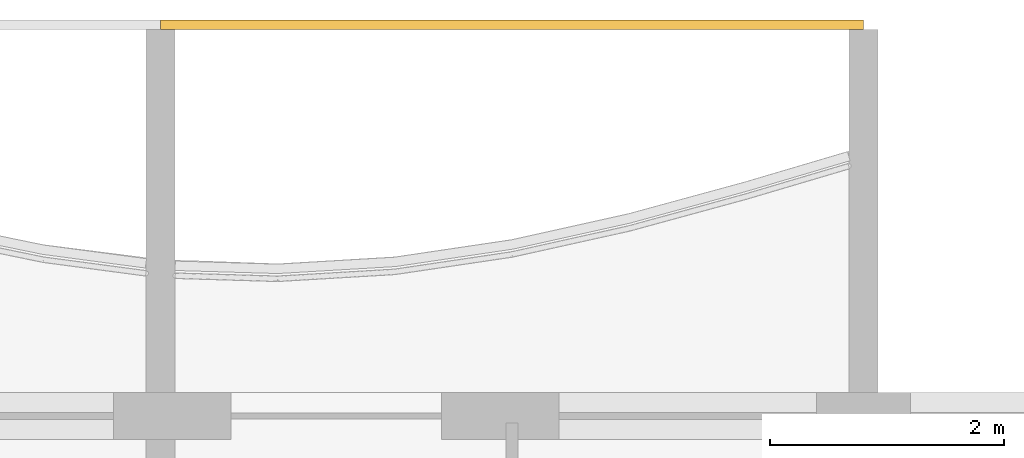
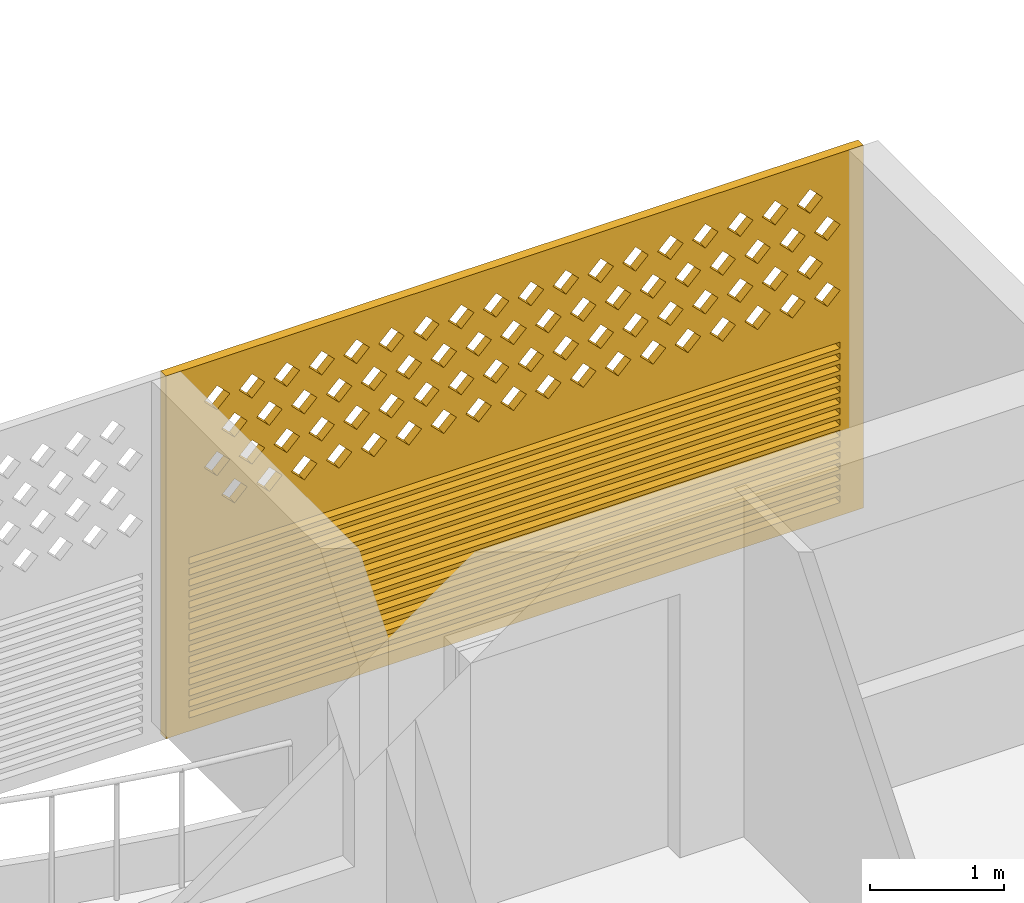
# One storey, part 19 of 27: 1 covering.
"""IFC4 building model written with IfcOpenShell, lengths in metres."""

from ifc_helpers import new_model, si_unit, direction, frame, origin, place, context, subcontext, project, spatial, polyline, outline, extrude, source, transform, mapped, material, material_profile, profile_set, type_object, element, save


model = new_model("IFC4")

# Units and contexts
model_context = context("Model", 3, precision=1e-05, world=origin(), true_north=direction((0.0, 1.0)))
body_context = subcontext(model_context, "Body", "Model", "MODEL_VIEW")
ifc_project = project(units=[si_unit("LENGTHUNIT", "METRE"), si_unit("AREAUNIT", "SQUARE_METRE"), si_unit("VOLUMEUNIT", "CUBIC_METRE"), si_unit("PLANEANGLEUNIT", "RADIAN"), si_unit("MASSUNIT", "GRAM", prefix="KILO")], contexts=[model_context])

# Site, building, storey
site_placement = place(None, origin())
site = spatial("IfcSite", under=ifc_project, at=site_placement, CompositionType="ELEMENT")
building_placement = place(site_placement, origin())
building = spatial("IfcBuilding", under=site, at=building_placement, Name="Poui Terraces", CompositionType="ELEMENT")
storey_placement = place(building_placement, frame((0.0, 0.0, 191.699951171875)))
storey = spatial("IfcBuildingStorey", under=building, at=storey_placement, Name="L53", CompositionType="ELEMENT", Elevation=191.699951171875)

# Covering
ifc_material = material(Name="Terracotta screen", Category="masonry")
ifc_material_profile = material_profile(ifc_material, outline(polyline([(-3.0, -1.64990234375), (3.0, -1.64990234375), (3.0, 1.64990234375), (-3.0, 1.64990234375), (-3.0, -1.64990234375)]), holes=[polyline([(-2.800048828125, 0.39990234375), (-2.68994140625, 0.2900390625), (-2.580078125, 0.39990234375), (-2.68994140625, 0.510009765625), (-2.800048828125, 0.39990234375)]), polyline([(-2.5, 0.39990234375), (-2.389892578125, 0.2900390625), (-2.280029296875, 0.39990234375), (-2.389892578125, 0.510009765625), (-2.5, 0.39990234375)]), polyline([(-2.199951171875, 0.39990234375), (-2.090087890625, 0.2900390625), (-1.97998046875, 0.39990234375), (-2.090087890625, 0.510009765625), (-2.199951171875, 0.39990234375)]), polyline([(-1.89990234375, 0.39990234375), (-1.7900390625, 0.2900390625), (-1.679931640625, 0.39990234375), (-1.7900390625, 0.510009765625), (-1.89990234375, 0.39990234375)]), polyline([(-1.60009765625, 0.39990234375), (-1.489990234375, 0.2900390625), (-1.3798828125, 0.39990234375), (-1.489990234375, 0.510009765625), (-1.60009765625, 0.39990234375)]), polyline([(-1.300048828125, 0.39990234375), (-1.18994140625, 0.2900390625), (-1.080078125, 0.39990234375), (-1.18994140625, 0.510009765625), (-1.300048828125, 0.39990234375)]), polyline([(-1.0, 0.39990234375), (-0.889892578125, 0.2900390625), (-0.780029296875, 0.39990234375), (-0.889892578125, 0.510009765625), (-1.0, 0.39990234375)]), polyline([(-0.699951171875, 0.39990234375), (-0.590087890625, 0.2900390625), (-0.47998046875, 0.39990234375), (-0.590087890625, 0.510009765625), (-0.699951171875, 0.39990234375)]), polyline([(-0.39990234375, 0.39990234375), (-0.2900390625, 0.2900390625), (-0.179931640625, 0.39990234375), (-0.2900390625, 0.510009765625), (-0.39990234375, 0.39990234375)]), polyline([(-0.10009765625, 0.39990234375), (0.010009765625, 0.2900390625), (0.1201171875, 0.39990234375), (0.010009765625, 0.510009765625), (-0.10009765625, 0.39990234375)]), polyline([(0.199951171875, 0.39990234375), (0.31005859375, 0.2900390625), (0.419921875, 0.39990234375), (0.31005859375, 0.510009765625), (0.199951171875, 0.39990234375)]), polyline([(0.5, 0.39990234375), (0.610107421875, 0.2900390625), (0.719970703125, 0.39990234375), (0.610107421875, 0.510009765625), (0.5, 0.39990234375)]), polyline([(0.800048828125, 0.39990234375), (0.909912109375, 0.2900390625), (1.02001953125, 0.39990234375), (0.909912109375, 0.510009765625), (0.800048828125, 0.39990234375)]), polyline([(1.10009765625, 0.39990234375), (1.2099609375, 0.2900390625), (1.320068359375, 0.39990234375), (1.2099609375, 0.510009765625), (1.10009765625, 0.39990234375)]), polyline([(1.39990234375, 0.39990234375), (1.510009765625, 0.2900390625), (1.6201171875, 0.39990234375), (1.510009765625, 0.510009765625), (1.39990234375, 0.39990234375)]), polyline([(1.699951171875, 0.39990234375), (1.81005859375, 0.2900390625), (1.919921875, 0.39990234375), (1.81005859375, 0.510009765625), (1.699951171875, 0.39990234375)]), polyline([(2.0, 0.39990234375), (2.110107421875, 0.2900390625), (2.219970703125, 0.39990234375), (2.110107421875, 0.510009765625), (2.0, 0.39990234375)]), polyline([(2.300048828125, 0.39990234375), (2.409912109375, 0.2900390625), (2.52001953125, 0.39990234375), (2.409912109375, 0.510009765625), (2.300048828125, 0.39990234375)]), polyline([(-2.64990234375, 0.699951171875), (-2.5400390625, 0.590087890625), (-2.429931640625, 0.699951171875), (-2.5400390625, 0.81005859375), (-2.64990234375, 0.699951171875)]), polyline([(-2.35009765625, 0.699951171875), (-2.239990234375, 0.590087890625), (-2.1298828125, 0.699951171875), (-2.239990234375, 0.81005859375), (-2.35009765625, 0.699951171875)]), polyline([(-2.050048828125, 0.699951171875), (-1.93994140625, 0.590087890625), (-1.830078125, 0.699951171875), (-1.93994140625, 0.81005859375), (-2.050048828125, 0.699951171875)]), polyline([(-1.75, 0.699951171875), (-1.639892578125, 0.590087890625), (-1.530029296875, 0.699951171875), (-1.639892578125, 0.81005859375), (-1.75, 0.699951171875)]), polyline([(-1.449951171875, 0.699951171875), (-1.340087890625, 0.590087890625), (-1.22998046875, 0.699951171875), (-1.340087890625, 0.81005859375), (-1.449951171875, 0.699951171875)]), polyline([(-1.14990234375, 0.699951171875), (-1.0400390625, 0.590087890625), (-0.929931640625, 0.699951171875), (-1.0400390625, 0.81005859375), (-1.14990234375, 0.699951171875)]), polyline([(-0.85009765625, 0.699951171875), (-0.739990234375, 0.590087890625), (-0.6298828125, 0.699951171875), (-0.739990234375, 0.81005859375), (-0.85009765625, 0.699951171875)]), polyline([(-0.550048828125, 0.699951171875), (-0.43994140625, 0.590087890625), (-0.330078125, 0.699951171875), (-0.43994140625, 0.81005859375), (-0.550048828125, 0.699951171875)]), polyline([(-0.25, 0.699951171875), (-0.139892578125, 0.590087890625), (-0.030029296875, 0.699951171875), (-0.139892578125, 0.81005859375), (-0.25, 0.699951171875)]), polyline([(0.050048828125, 0.699951171875), (0.159912109375, 0.590087890625), (0.27001953125, 0.699951171875), (0.159912109375, 0.81005859375), (0.050048828125, 0.699951171875)]), polyline([(0.35009765625, 0.699951171875), (0.4599609375, 0.590087890625), (0.570068359375, 0.699951171875), (0.4599609375, 0.81005859375), (0.35009765625, 0.699951171875)]), polyline([(0.64990234375, 0.699951171875), (0.760009765625, 0.590087890625), (0.8701171875, 0.699951171875), (0.760009765625, 0.81005859375), (0.64990234375, 0.699951171875)]), polyline([(0.949951171875, 0.699951171875), (1.06005859375, 0.590087890625), (1.169921875, 0.699951171875), (1.06005859375, 0.81005859375), (0.949951171875, 0.699951171875)]), polyline([(1.25, 0.699951171875), (1.360107421875, 0.590087890625), (1.469970703125, 0.699951171875), (1.360107421875, 0.81005859375), (1.25, 0.699951171875)]), polyline([(1.550048828125, 0.699951171875), (1.659912109375, 0.590087890625), (1.77001953125, 0.699951171875), (1.659912109375, 0.81005859375), (1.550048828125, 0.699951171875)]), polyline([(1.85009765625, 0.699951171875), (1.9599609375, 0.590087890625), (2.070068359375, 0.699951171875), (1.9599609375, 0.81005859375), (1.85009765625, 0.699951171875)]), polyline([(2.14990234375, 0.699951171875), (2.260009765625, 0.590087890625), (2.3701171875, 0.699951171875), (2.260009765625, 0.81005859375), (2.14990234375, 0.699951171875)]), polyline([(2.449951171875, 0.699951171875), (2.56005859375, 0.590087890625), (2.669921875, 0.699951171875), (2.56005859375, 0.81005859375), (2.449951171875, 0.699951171875)]), polyline([(-2.800048828125, 1.0), (-2.68994140625, 0.889892578125), (-2.580078125, 1.0), (-2.68994140625, 1.110107421875), (-2.800048828125, 1.0)]), polyline([(-2.5, 1.0), (-2.389892578125, 0.889892578125), (-2.280029296875, 1.0), (-2.389892578125, 1.110107421875), (-2.5, 1.0)]), polyline([(-2.199951171875, 1.0), (-2.090087890625, 0.889892578125), (-1.97998046875, 1.0), (-2.090087890625, 1.110107421875), (-2.199951171875, 1.0)]), polyline([(-1.89990234375, 1.0), (-1.7900390625, 0.889892578125), (-1.679931640625, 1.0), (-1.7900390625, 1.110107421875), (-1.89990234375, 1.0)]), polyline([(-1.60009765625, 1.0), (-1.489990234375, 0.889892578125), (-1.3798828125, 1.0), (-1.489990234375, 1.110107421875), (-1.60009765625, 1.0)]), polyline([(-1.300048828125, 1.0), (-1.18994140625, 0.889892578125), (-1.080078125, 1.0), (-1.18994140625, 1.110107421875), (-1.300048828125, 1.0)]), polyline([(-1.0, 1.0), (-0.889892578125, 0.889892578125), (-0.780029296875, 1.0), (-0.889892578125, 1.110107421875), (-1.0, 1.0)]), polyline([(-0.699951171875, 1.0), (-0.590087890625, 0.889892578125), (-0.47998046875, 1.0), (-0.590087890625, 1.110107421875), (-0.699951171875, 1.0)]), polyline([(-0.39990234375, 1.0), (-0.2900390625, 0.889892578125), (-0.179931640625, 1.0), (-0.2900390625, 1.110107421875), (-0.39990234375, 1.0)]), polyline([(-0.10009765625, 1.0), (0.010009765625, 0.889892578125), (0.1201171875, 1.0), (0.010009765625, 1.110107421875), (-0.10009765625, 1.0)]), polyline([(0.199951171875, 1.0), (0.31005859375, 0.889892578125), (0.419921875, 1.0), (0.31005859375, 1.110107421875), (0.199951171875, 1.0)]), polyline([(0.5, 1.0), (0.610107421875, 0.889892578125), (0.719970703125, 1.0), (0.610107421875, 1.110107421875), (0.5, 1.0)]), polyline([(0.800048828125, 1.0), (0.909912109375, 0.889892578125), (1.02001953125, 1.0), (0.909912109375, 1.110107421875), (0.800048828125, 1.0)]), polyline([(1.10009765625, 1.0), (1.2099609375, 0.889892578125), (1.320068359375, 1.0), (1.2099609375, 1.110107421875), (1.10009765625, 1.0)]), polyline([(1.39990234375, 1.0), (1.510009765625, 0.889892578125), (1.6201171875, 1.0), (1.510009765625, 1.110107421875), (1.39990234375, 1.0)]), polyline([(1.699951171875, 1.0), (1.81005859375, 0.889892578125), (1.919921875, 1.0), (1.81005859375, 1.110107421875), (1.699951171875, 1.0)]), polyline([(2.0, 1.0), (2.110107421875, 0.889892578125), (2.219970703125, 1.0), (2.110107421875, 1.110107421875), (2.0, 1.0)]), polyline([(2.300048828125, 1.0), (2.409912109375, 0.889892578125), (2.52001953125, 1.0), (2.409912109375, 1.110107421875), (2.300048828125, 1.0)]), polyline([(-2.64990234375, 1.300048828125), (-2.5400390625, 1.18994140625), (-2.429931640625, 1.300048828125), (-2.5400390625, 1.409912109375), (-2.64990234375, 1.300048828125)]), polyline([(-2.35009765625, 1.300048828125), (-2.239990234375, 1.18994140625), (-2.1298828125, 1.300048828125), (-2.239990234375, 1.409912109375), (-2.35009765625, 1.300048828125)]), polyline([(-2.050048828125, 1.300048828125), (-1.93994140625, 1.18994140625), (-1.830078125, 1.300048828125), (-1.93994140625, 1.409912109375), (-2.050048828125, 1.300048828125)]), polyline([(-1.75, 1.300048828125), (-1.639892578125, 1.18994140625), (-1.530029296875, 1.300048828125), (-1.639892578125, 1.409912109375), (-1.75, 1.300048828125)]), polyline([(-1.449951171875, 1.300048828125), (-1.340087890625, 1.18994140625), (-1.22998046875, 1.300048828125), (-1.340087890625, 1.409912109375), (-1.449951171875, 1.300048828125)]), polyline([(-1.14990234375, 1.300048828125), (-1.0400390625, 1.18994140625), (-0.929931640625, 1.300048828125), (-1.0400390625, 1.409912109375), (-1.14990234375, 1.300048828125)]), polyline([(-0.85009765625, 1.300048828125), (-0.739990234375, 1.18994140625), (-0.6298828125, 1.300048828125), (-0.739990234375, 1.409912109375), (-0.85009765625, 1.300048828125)]), polyline([(-0.550048828125, 1.300048828125), (-0.43994140625, 1.18994140625), (-0.330078125, 1.300048828125), (-0.43994140625, 1.409912109375), (-0.550048828125, 1.300048828125)]), polyline([(-0.25, 1.300048828125), (-0.139892578125, 1.18994140625), (-0.030029296875, 1.300048828125), (-0.139892578125, 1.409912109375), (-0.25, 1.300048828125)]), polyline([(0.050048828125, 1.300048828125), (0.159912109375, 1.18994140625), (0.27001953125, 1.300048828125), (0.159912109375, 1.409912109375), (0.050048828125, 1.300048828125)]), polyline([(0.35009765625, 1.300048828125), (0.4599609375, 1.18994140625), (0.570068359375, 1.300048828125), (0.4599609375, 1.409912109375), (0.35009765625, 1.300048828125)]), polyline([(0.64990234375, 1.300048828125), (0.760009765625, 1.18994140625), (0.8701171875, 1.300048828125), (0.760009765625, 1.409912109375), (0.64990234375, 1.300048828125)]), polyline([(0.949951171875, 1.300048828125), (1.06005859375, 1.18994140625), (1.169921875, 1.300048828125), (1.06005859375, 1.409912109375), (0.949951171875, 1.300048828125)]), polyline([(1.25, 1.300048828125), (1.360107421875, 1.18994140625), (1.469970703125, 1.300048828125), (1.360107421875, 1.409912109375), (1.25, 1.300048828125)]), polyline([(1.550048828125, 1.300048828125), (1.659912109375, 1.18994140625), (1.77001953125, 1.300048828125), (1.659912109375, 1.409912109375), (1.550048828125, 1.300048828125)]), polyline([(1.85009765625, 1.300048828125), (1.9599609375, 1.18994140625), (2.070068359375, 1.300048828125), (1.9599609375, 1.409912109375), (1.85009765625, 1.300048828125)]), polyline([(2.14990234375, 1.300048828125), (2.260009765625, 1.18994140625), (2.3701171875, 1.300048828125), (2.260009765625, 1.409912109375), (2.14990234375, 1.300048828125)]), polyline([(2.449951171875, 1.300048828125), (2.56005859375, 1.18994140625), (2.669921875, 1.300048828125), (2.56005859375, 1.409912109375), (2.449951171875, 1.300048828125)]), polyline([(-2.800048828125, -1.530029296875), (2.800048828125, -1.530029296875), (2.800048828125, -1.469970703125), (-2.800048828125, -1.469970703125), (-2.800048828125, -1.530029296875)]), polyline([(-2.800048828125, -1.429931640625), (2.800048828125, -1.429931640625), (2.800048828125, -1.3701171875), (-2.800048828125, -1.3701171875), (-2.800048828125, -1.429931640625)]), polyline([(-2.800048828125, -1.330078125), (2.800048828125, -1.330078125), (2.800048828125, -1.27001953125), (-2.800048828125, -1.27001953125), (-2.800048828125, -1.330078125)]), polyline([(-2.800048828125, -1.22998046875), (2.800048828125, -1.22998046875), (2.800048828125, -1.169921875), (-2.800048828125, -1.169921875), (-2.800048828125, -1.22998046875)]), polyline([(-2.800048828125, -1.1298828125), (2.800048828125, -1.1298828125), (2.800048828125, -1.070068359375), (-2.800048828125, -1.070068359375), (-2.800048828125, -1.1298828125)]), polyline([(-2.800048828125, -1.030029296875), (2.800048828125, -1.030029296875), (2.800048828125, -0.969970703125), (-2.800048828125, -0.969970703125), (-2.800048828125, -1.030029296875)]), polyline([(-2.800048828125, -0.929931640625), (2.800048828125, -0.929931640625), (2.800048828125, -0.8701171875), (-2.800048828125, -0.8701171875), (-2.800048828125, -0.929931640625)]), polyline([(-2.800048828125, -0.830078125), (2.800048828125, -0.830078125), (2.800048828125, -0.77001953125), (-2.800048828125, -0.77001953125), (-2.800048828125, -0.830078125)]), polyline([(-2.800048828125, -0.72998046875), (2.800048828125, -0.72998046875), (2.800048828125, -0.669921875), (-2.800048828125, -0.669921875), (-2.800048828125, -0.72998046875)]), polyline([(-2.800048828125, -0.6298828125), (2.800048828125, -0.6298828125), (2.800048828125, -0.570068359375), (-2.800048828125, -0.570068359375), (-2.800048828125, -0.6298828125)]), polyline([(-2.800048828125, -0.530029296875), (2.800048828125, -0.530029296875), (2.800048828125, -0.469970703125), (-2.800048828125, -0.469970703125), (-2.800048828125, -0.530029296875)]), polyline([(-2.800048828125, -0.429931640625), (2.800048828125, -0.429931640625), (2.800048828125, -0.3701171875), (-2.800048828125, -0.3701171875), (-2.800048828125, -0.429931640625)]), polyline([(-2.800048828125, -0.330078125), (2.800048828125, -0.330078125), (2.800048828125, -0.27001953125), (-2.800048828125, -0.27001953125), (-2.800048828125, -0.330078125)]), polyline([(-2.800048828125, -0.22998046875), (2.800048828125, -0.22998046875), (2.800048828125, -0.169921875), (-2.800048828125, -0.169921875), (-2.800048828125, -0.22998046875)]), polyline([(-2.800048828125, -0.1298828125), (2.800048828125, -0.1298828125), (2.800048828125, -0.070068359375), (-2.800048828125, -0.070068359375), (-2.800048828125, -0.1298828125)])]), Name="TERRACOTTA SCREEN AND JALOUSIE LOUVRE 6000X3300")
ifc_profile_set = profile_set([ifc_material_profile], Name="Terracotta screen")
covering_type = type_object("IfcCoveringType", Name="TERRACOTTA SCREEN AND JALOUSIE LOUVRE 6000X3300", PredefinedType="CLADDING", material=ifc_profile_set)
shared_shape = source(origin(), body_context, "Body", "SweptSolid", [
    extrude(outline(polyline([(-3.0, -1.64990234375), (3.0, -1.64990234375), (3.0, 1.64990234375), (-3.0, 1.64990234375), (-3.0, -1.64990234375)]), holes=[polyline([(-2.800048828125, 0.39990234375), (-2.68994140625, 0.2900390625), (-2.580078125, 0.39990234375), (-2.68994140625, 0.510009765625), (-2.800048828125, 0.39990234375)]), polyline([(-2.5, 0.39990234375), (-2.389892578125, 0.2900390625), (-2.280029296875, 0.39990234375), (-2.389892578125, 0.510009765625), (-2.5, 0.39990234375)]), polyline([(-2.199951171875, 0.39990234375), (-2.090087890625, 0.2900390625), (-1.97998046875, 0.39990234375), (-2.090087890625, 0.510009765625), (-2.199951171875, 0.39990234375)]), polyline([(-1.89990234375, 0.39990234375), (-1.7900390625, 0.2900390625), (-1.679931640625, 0.39990234375), (-1.7900390625, 0.510009765625), (-1.89990234375, 0.39990234375)]), polyline([(-1.60009765625, 0.39990234375), (-1.489990234375, 0.2900390625), (-1.3798828125, 0.39990234375), (-1.489990234375, 0.510009765625), (-1.60009765625, 0.39990234375)]), polyline([(-1.300048828125, 0.39990234375), (-1.18994140625, 0.2900390625), (-1.080078125, 0.39990234375), (-1.18994140625, 0.510009765625), (-1.300048828125, 0.39990234375)]), polyline([(-1.0, 0.39990234375), (-0.889892578125, 0.2900390625), (-0.780029296875, 0.39990234375), (-0.889892578125, 0.510009765625), (-1.0, 0.39990234375)]), polyline([(-0.699951171875, 0.39990234375), (-0.590087890625, 0.2900390625), (-0.47998046875, 0.39990234375), (-0.590087890625, 0.510009765625), (-0.699951171875, 0.39990234375)]), polyline([(-0.39990234375, 0.39990234375), (-0.2900390625, 0.2900390625), (-0.179931640625, 0.39990234375), (-0.2900390625, 0.510009765625), (-0.39990234375, 0.39990234375)]), polyline([(-0.10009765625, 0.39990234375), (0.010009765625, 0.2900390625), (0.1201171875, 0.39990234375), (0.010009765625, 0.510009765625), (-0.10009765625, 0.39990234375)]), polyline([(0.199951171875, 0.39990234375), (0.31005859375, 0.2900390625), (0.419921875, 0.39990234375), (0.31005859375, 0.510009765625), (0.199951171875, 0.39990234375)]), polyline([(0.5, 0.39990234375), (0.610107421875, 0.2900390625), (0.719970703125, 0.39990234375), (0.610107421875, 0.510009765625), (0.5, 0.39990234375)]), polyline([(0.800048828125, 0.39990234375), (0.909912109375, 0.2900390625), (1.02001953125, 0.39990234375), (0.909912109375, 0.510009765625), (0.800048828125, 0.39990234375)]), polyline([(1.10009765625, 0.39990234375), (1.2099609375, 0.2900390625), (1.320068359375, 0.39990234375), (1.2099609375, 0.510009765625), (1.10009765625, 0.39990234375)]), polyline([(1.39990234375, 0.39990234375), (1.510009765625, 0.2900390625), (1.6201171875, 0.39990234375), (1.510009765625, 0.510009765625), (1.39990234375, 0.39990234375)]), polyline([(1.699951171875, 0.39990234375), (1.81005859375, 0.2900390625), (1.919921875, 0.39990234375), (1.81005859375, 0.510009765625), (1.699951171875, 0.39990234375)]), polyline([(2.0, 0.39990234375), (2.110107421875, 0.2900390625), (2.219970703125, 0.39990234375), (2.110107421875, 0.510009765625), (2.0, 0.39990234375)]), polyline([(2.300048828125, 0.39990234375), (2.409912109375, 0.2900390625), (2.52001953125, 0.39990234375), (2.409912109375, 0.510009765625), (2.300048828125, 0.39990234375)]), polyline([(-2.64990234375, 0.699951171875), (-2.5400390625, 0.590087890625), (-2.429931640625, 0.699951171875), (-2.5400390625, 0.81005859375), (-2.64990234375, 0.699951171875)]), polyline([(-2.35009765625, 0.699951171875), (-2.239990234375, 0.590087890625), (-2.1298828125, 0.699951171875), (-2.239990234375, 0.81005859375), (-2.35009765625, 0.699951171875)]), polyline([(-2.050048828125, 0.699951171875), (-1.93994140625, 0.590087890625), (-1.830078125, 0.699951171875), (-1.93994140625, 0.81005859375), (-2.050048828125, 0.699951171875)]), polyline([(-1.75, 0.699951171875), (-1.639892578125, 0.590087890625), (-1.530029296875, 0.699951171875), (-1.639892578125, 0.81005859375), (-1.75, 0.699951171875)]), polyline([(-1.449951171875, 0.699951171875), (-1.340087890625, 0.590087890625), (-1.22998046875, 0.699951171875), (-1.340087890625, 0.81005859375), (-1.449951171875, 0.699951171875)]), polyline([(-1.14990234375, 0.699951171875), (-1.0400390625, 0.590087890625), (-0.929931640625, 0.699951171875), (-1.0400390625, 0.81005859375), (-1.14990234375, 0.699951171875)]), polyline([(-0.85009765625, 0.699951171875), (-0.739990234375, 0.590087890625), (-0.6298828125, 0.699951171875), (-0.739990234375, 0.81005859375), (-0.85009765625, 0.699951171875)]), polyline([(-0.550048828125, 0.699951171875), (-0.43994140625, 0.590087890625), (-0.330078125, 0.699951171875), (-0.43994140625, 0.81005859375), (-0.550048828125, 0.699951171875)]), polyline([(-0.25, 0.699951171875), (-0.139892578125, 0.590087890625), (-0.030029296875, 0.699951171875), (-0.139892578125, 0.81005859375), (-0.25, 0.699951171875)]), polyline([(0.050048828125, 0.699951171875), (0.159912109375, 0.590087890625), (0.27001953125, 0.699951171875), (0.159912109375, 0.81005859375), (0.050048828125, 0.699951171875)]), polyline([(0.35009765625, 0.699951171875), (0.4599609375, 0.590087890625), (0.570068359375, 0.699951171875), (0.4599609375, 0.81005859375), (0.35009765625, 0.699951171875)]), polyline([(0.64990234375, 0.699951171875), (0.760009765625, 0.590087890625), (0.8701171875, 0.699951171875), (0.760009765625, 0.81005859375), (0.64990234375, 0.699951171875)]), polyline([(0.949951171875, 0.699951171875), (1.06005859375, 0.590087890625), (1.169921875, 0.699951171875), (1.06005859375, 0.81005859375), (0.949951171875, 0.699951171875)]), polyline([(1.25, 0.699951171875), (1.360107421875, 0.590087890625), (1.469970703125, 0.699951171875), (1.360107421875, 0.81005859375), (1.25, 0.699951171875)]), polyline([(1.550048828125, 0.699951171875), (1.659912109375, 0.590087890625), (1.77001953125, 0.699951171875), (1.659912109375, 0.81005859375), (1.550048828125, 0.699951171875)]), polyline([(1.85009765625, 0.699951171875), (1.9599609375, 0.590087890625), (2.070068359375, 0.699951171875), (1.9599609375, 0.81005859375), (1.85009765625, 0.699951171875)]), polyline([(2.14990234375, 0.699951171875), (2.260009765625, 0.590087890625), (2.3701171875, 0.699951171875), (2.260009765625, 0.81005859375), (2.14990234375, 0.699951171875)]), polyline([(2.449951171875, 0.699951171875), (2.56005859375, 0.590087890625), (2.669921875, 0.699951171875), (2.56005859375, 0.81005859375), (2.449951171875, 0.699951171875)]), polyline([(-2.800048828125, 1.0), (-2.68994140625, 0.889892578125), (-2.580078125, 1.0), (-2.68994140625, 1.110107421875), (-2.800048828125, 1.0)]), polyline([(-2.5, 1.0), (-2.389892578125, 0.889892578125), (-2.280029296875, 1.0), (-2.389892578125, 1.110107421875), (-2.5, 1.0)]), polyline([(-2.199951171875, 1.0), (-2.090087890625, 0.889892578125), (-1.97998046875, 1.0), (-2.090087890625, 1.110107421875), (-2.199951171875, 1.0)]), polyline([(-1.89990234375, 1.0), (-1.7900390625, 0.889892578125), (-1.679931640625, 1.0), (-1.7900390625, 1.110107421875), (-1.89990234375, 1.0)]), polyline([(-1.60009765625, 1.0), (-1.489990234375, 0.889892578125), (-1.3798828125, 1.0), (-1.489990234375, 1.110107421875), (-1.60009765625, 1.0)]), polyline([(-1.300048828125, 1.0), (-1.18994140625, 0.889892578125), (-1.080078125, 1.0), (-1.18994140625, 1.110107421875), (-1.300048828125, 1.0)]), polyline([(-1.0, 1.0), (-0.889892578125, 0.889892578125), (-0.780029296875, 1.0), (-0.889892578125, 1.110107421875), (-1.0, 1.0)]), polyline([(-0.699951171875, 1.0), (-0.590087890625, 0.889892578125), (-0.47998046875, 1.0), (-0.590087890625, 1.110107421875), (-0.699951171875, 1.0)]), polyline([(-0.39990234375, 1.0), (-0.2900390625, 0.889892578125), (-0.179931640625, 1.0), (-0.2900390625, 1.110107421875), (-0.39990234375, 1.0)]), polyline([(-0.10009765625, 1.0), (0.010009765625, 0.889892578125), (0.1201171875, 1.0), (0.010009765625, 1.110107421875), (-0.10009765625, 1.0)]), polyline([(0.199951171875, 1.0), (0.31005859375, 0.889892578125), (0.419921875, 1.0), (0.31005859375, 1.110107421875), (0.199951171875, 1.0)]), polyline([(0.5, 1.0), (0.610107421875, 0.889892578125), (0.719970703125, 1.0), (0.610107421875, 1.110107421875), (0.5, 1.0)]), polyline([(0.800048828125, 1.0), (0.909912109375, 0.889892578125), (1.02001953125, 1.0), (0.909912109375, 1.110107421875), (0.800048828125, 1.0)]), polyline([(1.10009765625, 1.0), (1.2099609375, 0.889892578125), (1.320068359375, 1.0), (1.2099609375, 1.110107421875), (1.10009765625, 1.0)]), polyline([(1.39990234375, 1.0), (1.510009765625, 0.889892578125), (1.6201171875, 1.0), (1.510009765625, 1.110107421875), (1.39990234375, 1.0)]), polyline([(1.699951171875, 1.0), (1.81005859375, 0.889892578125), (1.919921875, 1.0), (1.81005859375, 1.110107421875), (1.699951171875, 1.0)]), polyline([(2.0, 1.0), (2.110107421875, 0.889892578125), (2.219970703125, 1.0), (2.110107421875, 1.110107421875), (2.0, 1.0)]), polyline([(2.300048828125, 1.0), (2.409912109375, 0.889892578125), (2.52001953125, 1.0), (2.409912109375, 1.110107421875), (2.300048828125, 1.0)]), polyline([(-2.64990234375, 1.300048828125), (-2.5400390625, 1.18994140625), (-2.429931640625, 1.300048828125), (-2.5400390625, 1.409912109375), (-2.64990234375, 1.300048828125)]), polyline([(-2.35009765625, 1.300048828125), (-2.239990234375, 1.18994140625), (-2.1298828125, 1.300048828125), (-2.239990234375, 1.409912109375), (-2.35009765625, 1.300048828125)]), polyline([(-2.050048828125, 1.300048828125), (-1.93994140625, 1.18994140625), (-1.830078125, 1.300048828125), (-1.93994140625, 1.409912109375), (-2.050048828125, 1.300048828125)]), polyline([(-1.75, 1.300048828125), (-1.639892578125, 1.18994140625), (-1.530029296875, 1.300048828125), (-1.639892578125, 1.409912109375), (-1.75, 1.300048828125)]), polyline([(-1.449951171875, 1.300048828125), (-1.340087890625, 1.18994140625), (-1.22998046875, 1.300048828125), (-1.340087890625, 1.409912109375), (-1.449951171875, 1.300048828125)]), polyline([(-1.14990234375, 1.300048828125), (-1.0400390625, 1.18994140625), (-0.929931640625, 1.300048828125), (-1.0400390625, 1.409912109375), (-1.14990234375, 1.300048828125)]), polyline([(-0.85009765625, 1.300048828125), (-0.739990234375, 1.18994140625), (-0.6298828125, 1.300048828125), (-0.739990234375, 1.409912109375), (-0.85009765625, 1.300048828125)]), polyline([(-0.550048828125, 1.300048828125), (-0.43994140625, 1.18994140625), (-0.330078125, 1.300048828125), (-0.43994140625, 1.409912109375), (-0.550048828125, 1.300048828125)]), polyline([(-0.25, 1.300048828125), (-0.139892578125, 1.18994140625), (-0.030029296875, 1.300048828125), (-0.139892578125, 1.409912109375), (-0.25, 1.300048828125)]), polyline([(0.050048828125, 1.300048828125), (0.159912109375, 1.18994140625), (0.27001953125, 1.300048828125), (0.159912109375, 1.409912109375), (0.050048828125, 1.300048828125)]), polyline([(0.35009765625, 1.300048828125), (0.4599609375, 1.18994140625), (0.570068359375, 1.300048828125), (0.4599609375, 1.409912109375), (0.35009765625, 1.300048828125)]), polyline([(0.64990234375, 1.300048828125), (0.760009765625, 1.18994140625), (0.8701171875, 1.300048828125), (0.760009765625, 1.409912109375), (0.64990234375, 1.300048828125)]), polyline([(0.949951171875, 1.300048828125), (1.06005859375, 1.18994140625), (1.169921875, 1.300048828125), (1.06005859375, 1.409912109375), (0.949951171875, 1.300048828125)]), polyline([(1.25, 1.300048828125), (1.360107421875, 1.18994140625), (1.469970703125, 1.300048828125), (1.360107421875, 1.409912109375), (1.25, 1.300048828125)]), polyline([(1.550048828125, 1.300048828125), (1.659912109375, 1.18994140625), (1.77001953125, 1.300048828125), (1.659912109375, 1.409912109375), (1.550048828125, 1.300048828125)]), polyline([(1.85009765625, 1.300048828125), (1.9599609375, 1.18994140625), (2.070068359375, 1.300048828125), (1.9599609375, 1.409912109375), (1.85009765625, 1.300048828125)]), polyline([(2.14990234375, 1.300048828125), (2.260009765625, 1.18994140625), (2.3701171875, 1.300048828125), (2.260009765625, 1.409912109375), (2.14990234375, 1.300048828125)]), polyline([(2.449951171875, 1.300048828125), (2.56005859375, 1.18994140625), (2.669921875, 1.300048828125), (2.56005859375, 1.409912109375), (2.449951171875, 1.300048828125)]), polyline([(-2.800048828125, -1.530029296875), (2.800048828125, -1.530029296875), (2.800048828125, -1.469970703125), (-2.800048828125, -1.469970703125), (-2.800048828125, -1.530029296875)]), polyline([(-2.800048828125, -1.429931640625), (2.800048828125, -1.429931640625), (2.800048828125, -1.3701171875), (-2.800048828125, -1.3701171875), (-2.800048828125, -1.429931640625)]), polyline([(-2.800048828125, -1.330078125), (2.800048828125, -1.330078125), (2.800048828125, -1.27001953125), (-2.800048828125, -1.27001953125), (-2.800048828125, -1.330078125)]), polyline([(-2.800048828125, -1.22998046875), (2.800048828125, -1.22998046875), (2.800048828125, -1.169921875), (-2.800048828125, -1.169921875), (-2.800048828125, -1.22998046875)]), polyline([(-2.800048828125, -1.1298828125), (2.800048828125, -1.1298828125), (2.800048828125, -1.070068359375), (-2.800048828125, -1.070068359375), (-2.800048828125, -1.1298828125)]), polyline([(-2.800048828125, -1.030029296875), (2.800048828125, -1.030029296875), (2.800048828125, -0.969970703125), (-2.800048828125, -0.969970703125), (-2.800048828125, -1.030029296875)]), polyline([(-2.800048828125, -0.929931640625), (2.800048828125, -0.929931640625), (2.800048828125, -0.8701171875), (-2.800048828125, -0.8701171875), (-2.800048828125, -0.929931640625)]), polyline([(-2.800048828125, -0.830078125), (2.800048828125, -0.830078125), (2.800048828125, -0.77001953125), (-2.800048828125, -0.77001953125), (-2.800048828125, -0.830078125)]), polyline([(-2.800048828125, -0.72998046875), (2.800048828125, -0.72998046875), (2.800048828125, -0.669921875), (-2.800048828125, -0.669921875), (-2.800048828125, -0.72998046875)]), polyline([(-2.800048828125, -0.6298828125), (2.800048828125, -0.6298828125), (2.800048828125, -0.570068359375), (-2.800048828125, -0.570068359375), (-2.800048828125, -0.6298828125)]), polyline([(-2.800048828125, -0.530029296875), (2.800048828125, -0.530029296875), (2.800048828125, -0.469970703125), (-2.800048828125, -0.469970703125), (-2.800048828125, -0.530029296875)]), polyline([(-2.800048828125, -0.429931640625), (2.800048828125, -0.429931640625), (2.800048828125, -0.3701171875), (-2.800048828125, -0.3701171875), (-2.800048828125, -0.429931640625)]), polyline([(-2.800048828125, -0.330078125), (2.800048828125, -0.330078125), (2.800048828125, -0.27001953125), (-2.800048828125, -0.27001953125), (-2.800048828125, -0.330078125)]), polyline([(-2.800048828125, -0.22998046875), (2.800048828125, -0.22998046875), (2.800048828125, -0.169921875), (-2.800048828125, -0.169921875), (-2.800048828125, -0.22998046875)]), polyline([(-2.800048828125, -0.1298828125), (2.800048828125, -0.1298828125), (2.800048828125, -0.070068359375), (-2.800048828125, -0.070068359375), (-2.800048828125, -0.1298828125)])]), origin(), (0.0, 0.0, 1.0), 0.080078125),
])
covering_placement = place(storey_placement, frame((33.0, 44.5, 1.449951171875), z_axis=(0.0, 1.0, 0.0), x_axis=(-1.0, 0.0, 0.0)))
element("IfcCovering", 1, at=covering_placement, inside=storey, type_object=covering_type, Name="SOLAR SCREEN AND JALOUSIE LOUVRE", PredefinedType="CLADDING", context=body_context, shape_type="MappedRepresentation", body=[
    mapped(shared_shape, transform((0.0, 0.0, 0.0))),
])

save(model, "model.ifc")
